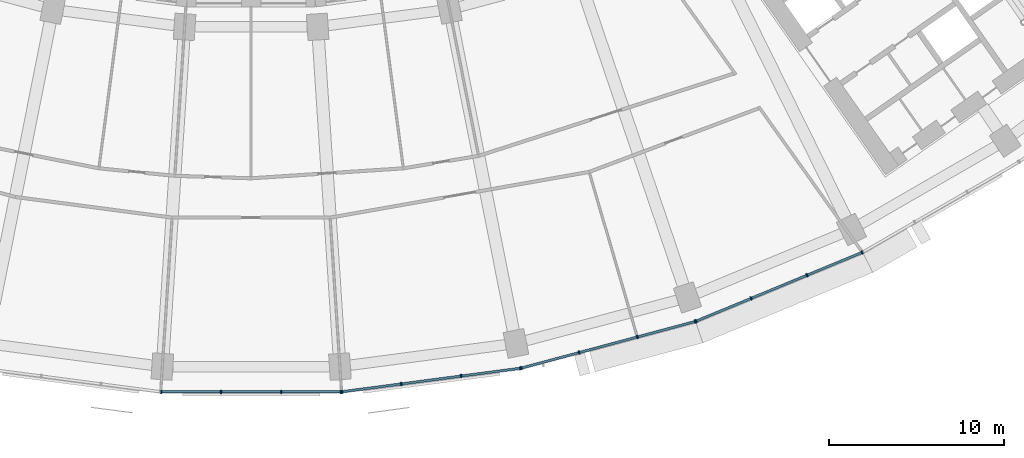
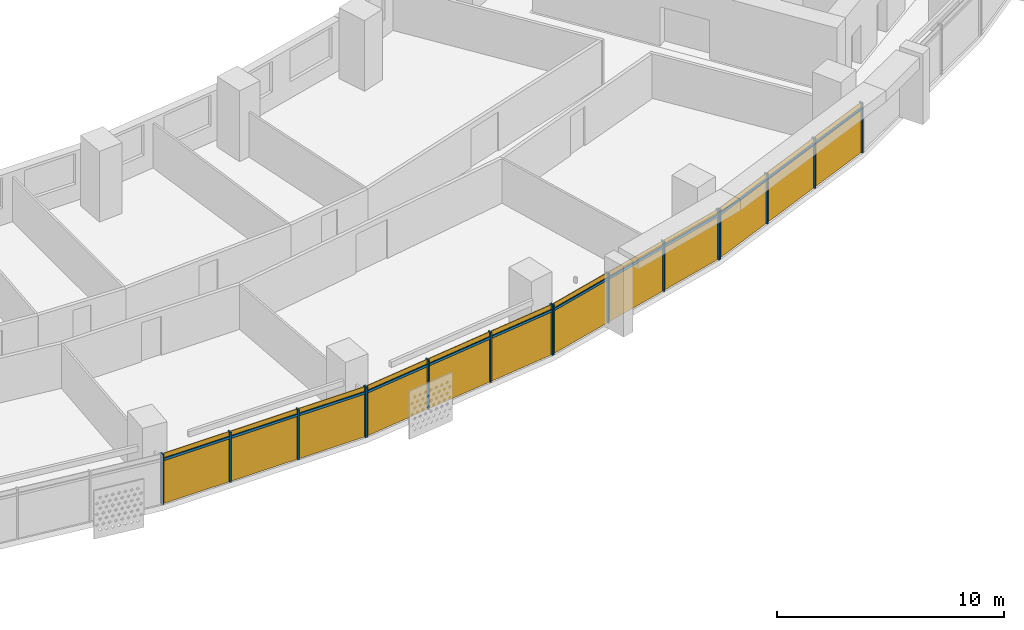
# One storey, part 22 of 29: 28 members, 4 curtain walls.
"""IFC4 building model written with IfcOpenShell, lengths in metres."""

from ifc_helpers import new_model, si_unit, direction, frame, origin, origin_2d, place, context, subcontext, project, spatial, rectangle, extrude, material, material_profile, profile_set, type_object, element, aggregate, save


model = new_model("IFC4")

# Units and contexts
model_context = context("Model", 3, precision=1e-05, world=origin(), true_north=direction((0.0, 1.0)))
body_context = subcontext(model_context, "Body", "Model", "MODEL_VIEW")
ifc_project = project(units=[si_unit("LENGTHUNIT", "METRE"), si_unit("AREAUNIT", "SQUARE_METRE"), si_unit("VOLUMEUNIT", "CUBIC_METRE"), si_unit("PLANEANGLEUNIT", "RADIAN"), si_unit("MASSUNIT", "GRAM", prefix="KILO")], contexts=[model_context])

# Member
ifc_material = material(Name="Aluminium 6063-T6 anodised", Category="aluminium")
ifc_material_profile_1 = material_profile(ifc_material, rectangle(XDim=0.199951171875, YDim=0.070068359375, at=origin_2d()))
ifc_profile_set_1 = profile_set([ifc_material_profile_1], Name="Aluminium 6063-T6 anodised")
member_type_1 = type_object("IfcMemberType", Name="Mullion 70 x 200 aluminium", PredefinedType="MULLION", material=ifc_profile_set_1)
site_placement = place(None, origin())
building_placement = place(site_placement, origin())
storey_placement = place(building_placement, frame((0.0, 0.0, 129.10009765625)))
member_1_placement = place(storey_placement, frame((-5.1513671875, -79.0302734375, 0.0), z_axis=(0.0, 0.0, 1.0), x_axis=(0.0, 1.0, 0.0)))
member_1 = element("IfcMember", 1, at=member_1_placement, type_object=member_type_1, Name="e-cw1-L29-out09/M00", PredefinedType="MULLION", context=body_context, shape_type="SweptSolid", body=[
    extrude(rectangle(XDim=0.199951171875, YDim=0.070068359375, at=origin_2d()), origin(), (0.0, 0.0, 1.0), 2.699951171875),
])

member_2_placement = place(storey_placement, frame((-1.728759765625, -79.0302734375, 0.0), z_axis=(0.0, 0.0, 1.0), x_axis=(0.0, 1.0, 0.0)))
member_2 = element("IfcMember", 2, at=member_2_placement, type_object=member_type_1, Name="e-cw1-L29-out09/M01", PredefinedType="MULLION", context=body_context, shape_type="SweptSolid", body=[
    extrude(rectangle(XDim=0.199951171875, YDim=0.070068359375, at=origin_2d()), origin(), (0.0, 0.0, 1.0), 2.699951171875),
])

member_3_placement = place(storey_placement, frame((1.728759765625, -79.0302734375, 0.0), z_axis=(0.0, 0.0, 1.0), x_axis=(0.0, 1.0, 0.0)))
member_3 = element("IfcMember", 3, at=member_3_placement, type_object=member_type_1, Name="e-cw1-L29-out09/M02", PredefinedType="MULLION", context=body_context, shape_type="SweptSolid", body=[
    extrude(rectangle(XDim=0.199951171875, YDim=0.070068359375, at=origin_2d()), origin(), (0.0, 0.0, 1.0), 2.699951171875),
])

member_4_placement = place(storey_placement, frame((5.1513671875, -79.0302734375, 0.0), z_axis=(0.0, 0.0, 1.0), x_axis=(0.0, 1.0, 0.0)))
member_4 = element("IfcMember", 4, at=member_4_placement, type_object=member_type_1, Name="e-cw1-L29-out09/M03", PredefinedType="MULLION", context=body_context, shape_type="SweptSolid", body=[
    extrude(rectangle(XDim=0.199951171875, YDim=0.070068359375, at=origin_2d()), origin(), (0.0, 0.0, 1.0), 2.699951171875),
])

member_5_placement = place(storey_placement, frame((5.2080078125, -79.026611328125, 0.0), z_axis=(0.0, 0.0, 1.0), x_axis=(-0.13052619222, 0.991444861374, 0.0)))
member_5 = element("IfcMember", 5, at=member_5_placement, type_object=member_type_1, Name="e-cw1-L29-out10/M00", PredefinedType="MULLION", context=body_context, shape_type="SweptSolid", body=[
    extrude(rectangle(XDim=0.199951171875, YDim=0.070068359375, at=origin_2d()), origin(), (0.0, 0.0, 1.0), 2.699951171875),
])

member_6_placement = place(storey_placement, frame((8.6015625, -78.579833984375, 0.0), z_axis=(0.0, 0.0, 1.0), x_axis=(-0.13052619222, 0.991444861374, 0.0)))
member_6 = element("IfcMember", 6, at=member_6_placement, type_object=member_type_1, Name="e-cw1-L29-out10/M01", PredefinedType="MULLION", context=body_context, shape_type="SweptSolid", body=[
    extrude(rectangle(XDim=0.199951171875, YDim=0.070068359375, at=origin_2d()), origin(), (0.0, 0.0, 1.0), 2.699951171875),
])

member_7_placement = place(storey_placement, frame((12.029541015625, -78.12841796875, 0.0), z_axis=(0.0, 0.0, 1.0), x_axis=(-0.13052619222, 0.991444861374, 0.0)))
member_7 = element("IfcMember", 7, at=member_7_placement, type_object=member_type_1, Name="e-cw1-L29-out10/M02", PredefinedType="MULLION", context=body_context, shape_type="SweptSolid", body=[
    extrude(rectangle(XDim=0.199951171875, YDim=0.070068359375, at=origin_2d()), origin(), (0.0, 0.0, 1.0), 2.699951171875),
])

member_8_placement = place(storey_placement, frame((15.4228515625, -77.681640625, 0.0), z_axis=(0.0, 0.0, 1.0), x_axis=(-0.13052619222, 0.991444861374, 0.0)))
member_8 = element("IfcMember", 8, at=member_8_placement, type_object=member_type_1, Name="e-cw1-L29-out10/M03", PredefinedType="MULLION", context=body_context, shape_type="SweptSolid", body=[
    extrude(rectangle(XDim=0.199951171875, YDim=0.070068359375, at=origin_2d()), origin(), (0.0, 0.0, 1.0), 2.699951171875),
])

member_9_placement = place(storey_placement, frame((15.478515625, -77.670654296875, 0.0), z_axis=(0.0, 0.0, 1.0), x_axis=(-0.258819045103, 0.965925826289, 0.0)))
member_9 = element("IfcMember", 9, at=member_9_placement, type_object=member_type_1, Name="e-cw1-L29-out11/M00", PredefinedType="MULLION", context=body_context, shape_type="SweptSolid", body=[
    extrude(rectangle(XDim=0.199951171875, YDim=0.070068359375, at=origin_2d()), origin(), (0.0, 0.0, 1.0), 2.699951171875),
])

member_10_placement = place(storey_placement, frame((18.78466796875, -76.78466796875, 0.0), z_axis=(0.0, 0.0, 1.0), x_axis=(-0.258819045103, 0.965925826289, 0.0)))
member_10 = element("IfcMember", 10, at=member_10_placement, type_object=member_type_1, Name="e-cw1-L29-out11/M01", PredefinedType="MULLION", context=body_context, shape_type="SweptSolid", body=[
    extrude(rectangle(XDim=0.199951171875, YDim=0.070068359375, at=origin_2d()), origin(), (0.0, 0.0, 1.0), 2.699951171875),
])

member_11_placement = place(storey_placement, frame((22.12451171875, -75.889892578125, 0.0), z_axis=(0.0, 0.0, 1.0), x_axis=(-0.258819045103, 0.965925826289, 0.0)))
member_11 = element("IfcMember", 11, at=member_11_placement, type_object=member_type_1, Name="e-cw1-L29-out11/M02", PredefinedType="MULLION", context=body_context, shape_type="SweptSolid", body=[
    extrude(rectangle(XDim=0.199951171875, YDim=0.070068359375, at=origin_2d()), origin(), (0.0, 0.0, 1.0), 2.699951171875),
])

member_12_placement = place(storey_placement, frame((25.430419921875, -75.00390625, 0.0), z_axis=(0.0, 0.0, 1.0), x_axis=(-0.258819045103, 0.965925826289, 0.0)))
member_12 = element("IfcMember", 12, at=member_12_placement, type_object=member_type_1, Name="e-cw1-L29-out11/M03", PredefinedType="MULLION", context=body_context, shape_type="SweptSolid", body=[
    extrude(rectangle(XDim=0.199951171875, YDim=0.070068359375, at=origin_2d()), origin(), (0.0, 0.0, 1.0), 2.699951171875),
])

member_13_placement = place(storey_placement, frame((25.484130859375, -74.98583984375, 0.0), z_axis=(0.0, 0.0, 1.0), x_axis=(-0.382683432365, 0.923879532511, 0.0)))
member_13 = element("IfcMember", 13, at=member_13_placement, type_object=member_type_1, Name="e-cw1-L29-out12/M00", PredefinedType="MULLION", context=body_context, shape_type="SweptSolid", body=[
    extrude(rectangle(XDim=0.199951171875, YDim=0.070068359375, at=origin_2d()), origin(), (0.0, 0.0, 1.0), 2.699951171875),
])

member_14_placement = place(storey_placement, frame((28.646240234375, -73.676025390625, 0.0), z_axis=(0.0, 0.0, 1.0), x_axis=(-0.382683432365, 0.923879532511, 0.0)))
member_14 = element("IfcMember", 14, at=member_14_placement, type_object=member_type_1, Name="e-cw1-L29-out12/M01", PredefinedType="MULLION", context=body_context, shape_type="SweptSolid", body=[
    extrude(rectangle(XDim=0.199951171875, YDim=0.070068359375, at=origin_2d()), origin(), (0.0, 0.0, 1.0), 2.699951171875),
])

member_15_placement = place(storey_placement, frame((31.8408203125, -72.352783203125, 0.0), z_axis=(0.0, 0.0, 1.0), x_axis=(-0.382683432365, 0.923879532511, 0.0)))
member_15 = element("IfcMember", 15, at=member_15_placement, type_object=member_type_1, Name="e-cw1-L29-out12/M02", PredefinedType="MULLION", context=body_context, shape_type="SweptSolid", body=[
    extrude(rectangle(XDim=0.199951171875, YDim=0.070068359375, at=origin_2d()), origin(), (0.0, 0.0, 1.0), 2.699951171875),
])

member_16_placement = place(storey_placement, frame((35.0029296875, -71.04296875, 0.0), z_axis=(0.0, 0.0, 1.0), x_axis=(-0.382683432365, 0.923879532511, 0.0)))
member_16 = element("IfcMember", 16, at=member_16_placement, type_object=member_type_1, Name="e-cw1-L29-out12/M03", PredefinedType="MULLION", context=body_context, shape_type="SweptSolid", body=[
    extrude(rectangle(XDim=0.199951171875, YDim=0.070068359375, at=origin_2d()), origin(), (0.0, 0.0, 1.0), 2.699951171875),
])

ifc_material_profile_2 = material_profile(ifc_material, rectangle(XDim=0.139892578125, YDim=0.1201171875, at=origin_2d()))
ifc_profile_set_2 = profile_set([ifc_material_profile_2], Name="Aluminium 6063-T6 anodised")
member_type_2 = type_object("IfcMemberType", Name="Transom 120 x 140 aluminium", PredefinedType="USERDEFINED", material=ifc_profile_set_2)
member_17_placement = place(storey_placement, frame((-5.116455078125, -79.0302734375, 2.39990234375), z_axis=(1.0, 0.0, 0.0), x_axis=(0.0, 1.0, 0.0)))
member_17 = element("IfcMember", 17, at=member_17_placement, type_object=member_type_2, Name="e-cw1-L29-out09/T00", ObjectType="TRANSOM", PredefinedType="USERDEFINED", context=body_context, shape_type="SweptSolid", body=[
    extrude(rectangle(XDim=0.139892578125, YDim=0.1201171875, at=origin_2d()), origin(), (0.0, 0.0, 1.0), 3.3525390625),
])

member_18_placement = place(storey_placement, frame((-1.69384765625, -79.0302734375, 2.39990234375), z_axis=(1.0, 0.0, 0.0), x_axis=(0.0, 1.0, 0.0)))
member_18 = element("IfcMember", 18, at=member_18_placement, type_object=member_type_2, Name="e-cw1-L29-out09/T01", ObjectType="TRANSOM", PredefinedType="USERDEFINED", context=body_context, shape_type="SweptSolid", body=[
    extrude(rectangle(XDim=0.139892578125, YDim=0.1201171875, at=origin_2d()), origin(), (0.0, 0.0, 1.0), 3.3876953125),
])

member_19_placement = place(storey_placement, frame((1.763916015625, -79.0302734375, 2.39990234375), z_axis=(1.0, 0.0, 0.0), x_axis=(0.0, 1.0, 0.0)))
member_19 = element("IfcMember", 19, at=member_19_placement, type_object=member_type_2, Name="e-cw1-L29-out09/T02", ObjectType="TRANSOM", PredefinedType="USERDEFINED", context=body_context, shape_type="SweptSolid", body=[
    extrude(rectangle(XDim=0.139892578125, YDim=0.1201171875, at=origin_2d()), origin(), (0.0, 0.0, 1.0), 3.3525390625),
])

member_20_placement = place(storey_placement, frame((5.242919921875, -79.02197265625, 2.39990234375), z_axis=(0.991439665896, 0.130565649721, 0.0), x_axis=(-0.130565649721, 0.991439665896, 0.0)))
member_20 = element("IfcMember", 20, at=member_20_placement, type_object=member_type_2, Name="e-cw1-L29-out10/T00", ObjectType="TRANSOM", PredefinedType="USERDEFINED", context=body_context, shape_type="SweptSolid", body=[
    extrude(rectangle(XDim=0.139892578125, YDim=0.1201171875, at=origin_2d()), origin(), (0.0, 0.0, 1.0), 3.352783203125),
])

member_21_placement = place(storey_placement, frame((8.63623046875, -78.5751953125, 2.39990234375), z_axis=(0.991446198807, 0.130516033004, 0.0), x_axis=(-0.130516033004, 0.991446198807, 0.0)))
member_21 = element("IfcMember", 21, at=member_21_placement, type_object=member_type_2, Name="e-cw1-L29-out10/T01", ObjectType="TRANSOM", PredefinedType="USERDEFINED", context=body_context, shape_type="SweptSolid", body=[
    extrude(rectangle(XDim=0.139892578125, YDim=0.1201171875, at=origin_2d()), origin(), (0.0, 0.0, 1.0), 3.3876953125),
])

member_22_placement = place(storey_placement, frame((12.064208984375, -78.123779296875, 2.39990234375), z_axis=(0.991449089759, 0.130494070426, 0.0), x_axis=(-0.130494070426, 0.991449089759, 0.0)))
member_22 = element("IfcMember", 22, at=member_22_placement, type_object=member_type_2, Name="e-cw1-L29-out10/T02", ObjectType="TRANSOM", PredefinedType="USERDEFINED", context=body_context, shape_type="SweptSolid", body=[
    extrude(rectangle(XDim=0.139892578125, YDim=0.1201171875, at=origin_2d()), origin(), (0.0, 0.0, 1.0), 3.3525390625),
])

member_23_placement = place(storey_placement, frame((15.512451171875, -77.66162109375, 2.39990234375), z_axis=(0.965927247937, 0.258813739382, 0.0), x_axis=(-0.258813739382, 0.965927247937, 0.0)))
member_23 = element("IfcMember", 23, at=member_23_placement, type_object=member_type_2, Name="e-cw1-L29-out11/T00", ObjectType="TRANSOM", PredefinedType="USERDEFINED", context=body_context, shape_type="SweptSolid", body=[
    extrude(rectangle(XDim=0.139892578125, YDim=0.1201171875, at=origin_2d()), origin(), (0.0, 0.0, 1.0), 3.3525390625),
])

member_24_placement = place(storey_placement, frame((18.818359375, -76.775634765625, 2.39990234375), z_axis=(0.965931646033, 0.258797324547, 0.0), x_axis=(-0.258797324547, 0.965931646033, 0.0)))
member_24 = element("IfcMember", 24, at=member_24_placement, type_object=member_type_2, Name="e-cw1-L29-out11/T01", ObjectType="TRANSOM", PredefinedType="USERDEFINED", context=body_context, shape_type="SweptSolid", body=[
    extrude(rectangle(XDim=0.139892578125, YDim=0.1201171875, at=origin_2d()), origin(), (0.0, 0.0, 1.0), 3.3876953125),
])

member_25_placement = place(storey_placement, frame((22.158203125, -75.880859375, 2.39990234375), z_axis=(0.965932125453, 0.258795535157, 0.0), x_axis=(-0.258795535157, 0.965932125453, 0.0)))
member_25 = element("IfcMember", 25, at=member_25_placement, type_object=member_type_2, Name="e-cw1-L29-out11/T02", ObjectType="TRANSOM", PredefinedType="USERDEFINED", context=body_context, shape_type="SweptSolid", body=[
    extrude(rectangle(XDim=0.139892578125, YDim=0.1201171875, at=origin_2d()), origin(), (0.0, 0.0, 1.0), 3.352783203125),
])

member_26_placement = place(storey_placement, frame((25.5166015625, -74.972412109375, 2.39990234375), z_axis=(0.923882814237, 0.382675509483, 0.0), x_axis=(-0.382675509483, 0.923882814237, 0.0)))
member_26 = element("IfcMember", 26, at=member_26_placement, type_object=member_type_2, Name="e-cw1-L29-out12/T00", ObjectType="TRANSOM", PredefinedType="USERDEFINED", context=body_context, shape_type="SweptSolid", body=[
    extrude(rectangle(XDim=0.139892578125, YDim=0.1201171875, at=origin_2d()), origin(), (0.0, 0.0, 1.0), 3.3525390625),
])

member_27_placement = place(storey_placement, frame((28.6787109375, -73.66259765625, 2.39990234375), z_axis=(0.923874529423, 0.382695510666, 0.0), x_axis=(-0.382695510666, 0.923874529423, 0.0)))
member_27 = element("IfcMember", 27, at=member_27_placement, type_object=member_type_2, Name="e-cw1-L29-out12/T01", ObjectType="TRANSOM", PredefinedType="USERDEFINED", context=body_context, shape_type="SweptSolid", body=[
    extrude(rectangle(XDim=0.139892578125, YDim=0.1201171875, at=origin_2d()), origin(), (0.0, 0.0, 1.0), 3.387451171875),
])

member_28_placement = place(storey_placement, frame((31.873046875, -72.33935546875, 2.39990234375), z_axis=(0.923882814237, 0.382675509483, 0.0), x_axis=(-0.382675509483, 0.923882814237, 0.0)))
member_28 = element("IfcMember", 28, at=member_28_placement, type_object=member_type_2, Name="e-cw1-L29-out12/T02", ObjectType="TRANSOM", PredefinedType="USERDEFINED", context=body_context, shape_type="SweptSolid", body=[
    extrude(rectangle(XDim=0.139892578125, YDim=0.1201171875, at=origin_2d()), origin(), (0.0, 0.0, 1.0), 3.3525390625),
])

# Site, building, storey
site = spatial("IfcSite", under=ifc_project, at=site_placement, CompositionType="ELEMENT")
building = spatial("IfcBuilding", under=site, at=building_placement, Name="Qamariyya Broadcast Tower", CompositionType="ELEMENT")
storey = spatial("IfcBuildingStorey", under=building, at=storey_placement, Name="L29", CompositionType="ELEMENT", Elevation=129.10009765625)

# Curtain wall
curtain_wall_type = type_object("IfcCurtainWallType", Name="Unitised curtain wall, anodised aluminium", PredefinedType="NOTDEFINED", material=ifc_material)
curtain_wall_1_placement = place(storey_placement, origin())
curtain_wall_1 = element("IfcCurtainWall", 29, at=curtain_wall_1_placement, inside=storey, type_object=curtain_wall_type, Name="e-cw1-L29-out09", PredefinedType="NOTDEFINED", context=body_context, shape_type="SweptSolid", body=[
    extrude(rectangle(XDim=3.352783203125, YDim=0.031982421875, at=origin_2d()), frame((-3.440185546875, -79.0302734375, 0.0), x_axis=(1.0, 0.0, 0.0)), (0.0, 0.0, 1.0), 2.340087890625),
    extrude(rectangle(XDim=3.352783203125, YDim=0.031982421875, at=origin_2d()), frame((-3.440185546875, -79.0302734375, 2.4599609375), x_axis=(1.0, 0.0, 0.0)), (0.0, 0.0, 1.0), 0.239990234375),
    extrude(rectangle(XDim=3.3876953125, YDim=0.031982421875, at=origin_2d()), frame((0.0, -79.0302734375, 0.0), x_axis=(1.0, 0.0, 0.0)), (0.0, 0.0, 1.0), 2.340087890625),
    extrude(rectangle(XDim=3.3876953125, YDim=0.031982421875, at=origin_2d()), frame((0.0, -79.0302734375, 2.4599609375), x_axis=(1.0, 0.0, 0.0)), (0.0, 0.0, 1.0), 0.239990234375),
    extrude(rectangle(XDim=3.352783203125, YDim=0.031982421875, at=origin_2d()), frame((3.440185546875, -79.0302734375, 0.0), x_axis=(1.0, 0.0, 0.0)), (0.0, 0.0, 1.0), 2.340087890625),
    extrude(rectangle(XDim=3.352783203125, YDim=0.031982421875, at=origin_2d()), frame((3.440185546875, -79.0302734375, 2.4599609375), x_axis=(1.0, 0.0, 0.0)), (0.0, 0.0, 1.0), 0.239990234375),
])

aggregate(curtain_wall_1, [member_1, member_2, member_3, member_4, member_17, member_18, member_19])

curtain_wall_2_placement = place(storey_placement, origin())
curtain_wall_2 = element("IfcCurtainWall", 30, at=curtain_wall_2_placement, inside=storey, type_object=curtain_wall_type, Name="e-cw1-L29-out10", PredefinedType="NOTDEFINED", context=body_context, shape_type="SweptSolid", body=[
    extrude(rectangle(XDim=3.3525390625, YDim=0.031982421875, at=origin_2d()), frame((6.90478515625, -78.802978515625, 0.0), x_axis=(0.991447084105, 0.13050930779, 0.0)), (0.0, 0.0, 1.0), 2.340087890625),
    extrude(rectangle(XDim=3.3525390625, YDim=0.031982421875, at=origin_2d()), frame((6.90478515625, -78.802978515625, 2.4599609375), x_axis=(0.991447084105, 0.13050930779, 0.0)), (0.0, 0.0, 1.0), 0.239990234375),
    extrude(rectangle(XDim=3.3876953125, YDim=0.031982421875, at=origin_2d()), frame((10.3154296875, -78.35400390625, 0.0), x_axis=(0.991447084105, 0.13050930779, 0.0)), (0.0, 0.0, 1.0), 2.340087890625),
    extrude(rectangle(XDim=3.3876953125, YDim=0.031982421875, at=origin_2d()), frame((10.3154296875, -78.35400390625, 2.4599609375), x_axis=(0.991447084105, 0.13050930779, 0.0)), (0.0, 0.0, 1.0), 0.239990234375),
    extrude(rectangle(XDim=3.3525390625, YDim=0.031982421875, at=origin_2d()), frame((13.72607421875, -77.9052734375, 0.0), x_axis=(0.991447084105, 0.13050930779, 0.0)), (0.0, 0.0, 1.0), 2.340087890625),
    extrude(rectangle(XDim=3.3525390625, YDim=0.031982421875, at=origin_2d()), frame((13.72607421875, -77.9052734375, 2.4599609375), x_axis=(0.991447084105, 0.13050930779, 0.0)), (0.0, 0.0, 1.0), 0.239990234375),
])

aggregate(curtain_wall_2, [member_5, member_6, member_7, member_8, member_20, member_21, member_22])

curtain_wall_3_placement = place(storey_placement, origin())
curtain_wall_3 = element("IfcCurtainWall", 31, at=curtain_wall_3_placement, inside=storey, type_object=curtain_wall_type, Name="e-cw1-L29-out11", PredefinedType="NOTDEFINED", context=body_context, shape_type="SweptSolid", body=[
    extrude(rectangle(XDim=3.352783203125, YDim=0.031982421875, at=origin_2d()), frame((17.131591796875, -77.227783203125, 0.0), x_axis=(0.965923677743, 0.258827063454, 0.0)), (0.0, 0.0, 1.0), 2.340087890625),
    extrude(rectangle(XDim=3.352783203125, YDim=0.031982421875, at=origin_2d()), frame((17.131591796875, -77.227783203125, 2.4599609375), x_axis=(0.965923677743, 0.258827063454, 0.0)), (0.0, 0.0, 1.0), 0.239990234375),
    extrude(rectangle(XDim=3.3876953125, YDim=0.031982421875, at=origin_2d()), frame((20.45458984375, -76.33740234375, 0.0), x_axis=(0.965923677743, 0.258827063454, 0.0)), (0.0, 0.0, 1.0), 2.340087890625),
    extrude(rectangle(XDim=3.3876953125, YDim=0.031982421875, at=origin_2d()), frame((20.45458984375, -76.33740234375, 2.4599609375), x_axis=(0.965923677743, 0.258827063454, 0.0)), (0.0, 0.0, 1.0), 0.239990234375),
    extrude(rectangle(XDim=3.352783203125, YDim=0.031982421875, at=origin_2d()), frame((23.777587890625, -75.44677734375, 0.0), x_axis=(0.965923677743, 0.258827063454, 0.0)), (0.0, 0.0, 1.0), 2.340087890625),
    extrude(rectangle(XDim=3.352783203125, YDim=0.031982421875, at=origin_2d()), frame((23.777587890625, -75.44677734375, 2.4599609375), x_axis=(0.965923677743, 0.258827063454, 0.0)), (0.0, 0.0, 1.0), 0.239990234375),
])

aggregate(curtain_wall_3, [member_9, member_10, member_11, member_12, member_23, member_24, member_25])

curtain_wall_4_placement = place(storey_placement, origin())
curtain_wall_4 = element("IfcCurtainWall", 32, at=curtain_wall_4_placement, inside=storey, type_object=curtain_wall_type, Name="e-cw1-L29-out12", PredefinedType="NOTDEFINED", context=body_context, shape_type="SweptSolid", body=[
    extrude(rectangle(XDim=3.3525390625, YDim=0.031982421875, at=origin_2d()), frame((27.065185546875, -74.3310546875, 0.0), x_axis=(0.923872250857, 0.382701011361, 0.0)), (0.0, 0.0, 1.0), 2.340087890625),
    extrude(rectangle(XDim=3.3525390625, YDim=0.031982421875, at=origin_2d()), frame((27.065185546875, -74.3310546875, 2.4599609375), x_axis=(0.923872250857, 0.382701011361, 0.0)), (0.0, 0.0, 1.0), 0.239990234375),
    extrude(rectangle(XDim=3.3876953125, YDim=0.031982421875, at=origin_2d()), frame((30.24365234375, -73.014404296875, 0.0), x_axis=(0.923872250857, 0.382701011361, 0.0)), (0.0, 0.0, 1.0), 2.340087890625),
    extrude(rectangle(XDim=3.3876953125, YDim=0.031982421875, at=origin_2d()), frame((30.24365234375, -73.014404296875, 2.4599609375), x_axis=(0.923872250857, 0.382701011361, 0.0)), (0.0, 0.0, 1.0), 0.239990234375),
    extrude(rectangle(XDim=3.3525390625, YDim=0.031982421875, at=origin_2d()), frame((33.421875, -71.69775390625, 0.0), x_axis=(0.923872250857, 0.382701011361, 0.0)), (0.0, 0.0, 1.0), 2.340087890625),
    extrude(rectangle(XDim=3.3525390625, YDim=0.031982421875, at=origin_2d()), frame((33.421875, -71.69775390625, 2.4599609375), x_axis=(0.923872250857, 0.382701011361, 0.0)), (0.0, 0.0, 1.0), 0.239990234375),
])

aggregate(curtain_wall_4, [member_13, member_14, member_15, member_16, member_26, member_27, member_28])

save(model, "model.ifc")
